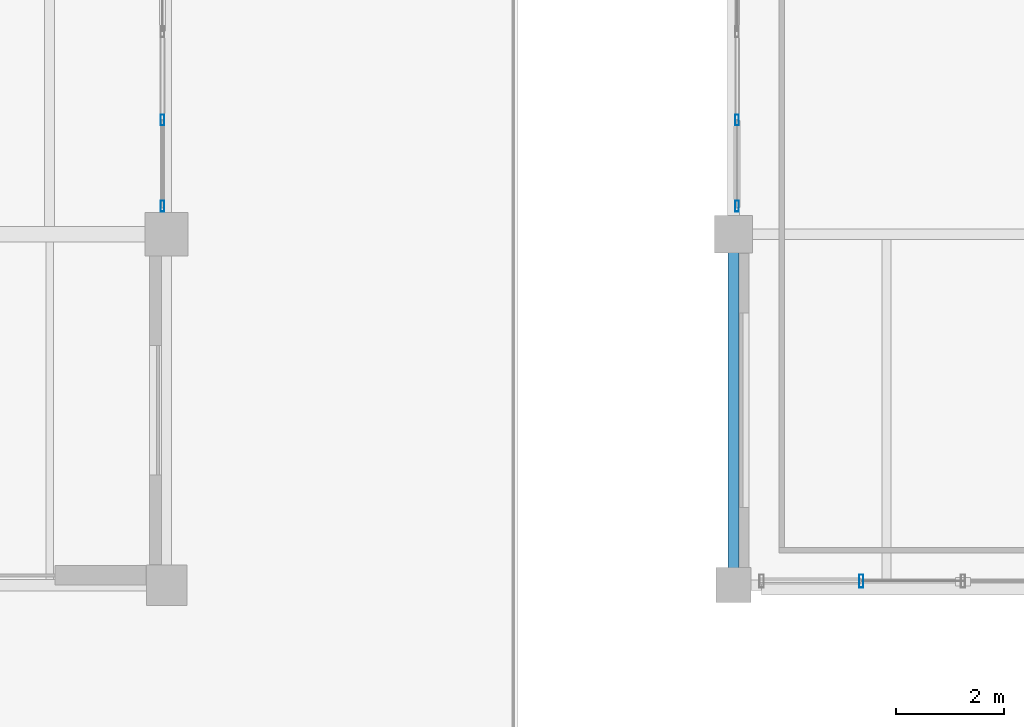
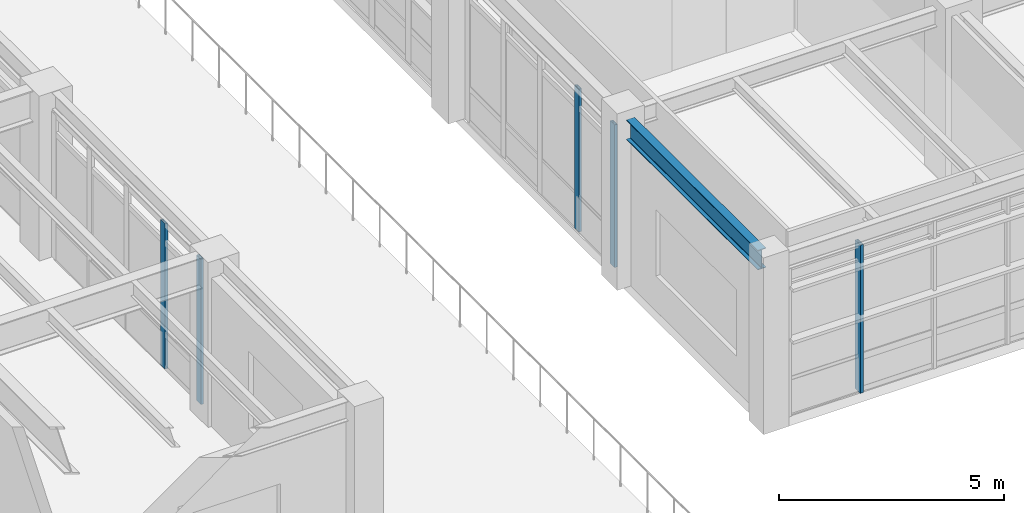
# One storey, part 106 of 200: 5 members, 1 beam, 3 elements without a shape of their own.
"""IFC4 building model written with IfcOpenShell, lengths in metres."""

import ifcopenshell
import ifcopenshell.guid

model = None  # the IFC model being written
_history = None  # IfcOwnerHistory: only IFC2X3 demands one
_inside = {}  # id of a spatial element -> (the spatial element, [elements in it])
_under = {}  # id of a project, library or spatial element -> (it, [spatial elements below it])
_declared = {}  # id of a project -> (the project, [libraries it declares])
_typed = {}  # id of a type object -> (the type object, [elements of that type])
_made_of = {}  # id of a material, layer set ... -> (it, [elements and type objects made of it])


def new_model(schema):
    """Start an empty IFC model of exactly this schema.

    Asked for "IFC4X3", IfcOpenShell would pick the latest addendum, in which some entities
    have other attributes; the version numbers below select the first issue.
    IFC2X3 requires an IfcOwnerHistory on every rooted entity: one is made here for all.
    """
    global model, _history
    if schema == "IFC4X3":
        model = ifcopenshell.file(schema_version=(4, 3, 0, 0))
    else:
        model = ifcopenshell.file(schema=schema)
    _inside.clear()
    _under.clear()
    _declared.clear()
    _typed.clear()
    _made_of.clear()
    _history = None
    if model.schema == "IFC2X3":
        org = make("IfcOrganization", Name="unknown")
        user = make(
            "IfcPersonAndOrganization",
            ThePerson=make("IfcPerson", FamilyName="unknown"),
            TheOrganization=org,
        )
        app = make(
            "IfcApplication",
            ApplicationDeveloper=org,
            Version="unknown",
            ApplicationFullName="unknown",
            ApplicationIdentifier="unknown",
        )
        _history = make(
            "IfcOwnerHistory",
            OwningUser=user,
            OwningApplication=app,
            ChangeAction="ADDED",
            CreationDate=0,
        )
    return model


def make(cls, **values):
    """One entity of the class cls with the attributes given. An attribute that is None is left unset."""
    return model.create_entity(
        cls, **{name: value for name, value in values.items() if value is not None}
    )


def rooted(cls, **values):
    """An entity with a GlobalId (a new one), such as an element, a storey or a relation."""
    return make(cls, GlobalId=ifcopenshell.guid.new(), OwnerHistory=_history, **values)


def si_unit(unit_type, name, prefix=None):
    """IfcSIUnit, for example si_unit("LENGTHUNIT", "METRE", prefix="MILLI")."""
    return make("IfcSIUnit", UnitType=unit_type, Prefix=prefix, Name=name)


def assignment(units):
    """IfcUnitAssignment: the units of a project."""
    return None if units is None else make("IfcUnitAssignment", Units=units)


def point(xyz):
    """IfcCartesianPoint."""
    return None if xyz is None else make("IfcCartesianPoint", Coordinates=xyz)


def direction(xyz):
    """IfcDirection."""
    return None if xyz is None else make("IfcDirection", DirectionRatios=xyz)


def frame(location, z_axis=None, x_axis=None):
    """IfcAxis2Placement3D, a coordinate frame: its origin and axes. An axis left out is left unset."""
    return make(
        "IfcAxis2Placement3D",
        Location=point(location),
        Axis=direction(z_axis),
        RefDirection=direction(x_axis),
    )


def frame_2d(location, x_axis=None):
    """IfcAxis2Placement2D, a coordinate frame in the plane: its origin and x axis."""
    return make(
        "IfcAxis2Placement2D", Location=point(location), RefDirection=direction(x_axis)
    )


def origin():
    """The frame at (0, 0, 0) with its axes left unset."""
    return frame((0.0, 0.0, 0.0))


def origin_2d():
    """The frame at (0, 0) in the plane with its x axis left unset."""
    return frame_2d((0.0, 0.0))


def place(relative_to, where):
    """IfcLocalPlacement: puts the frame where relative to a parent placement (None: the world)."""
    return make(
        "IfcLocalPlacement", PlacementRelTo=relative_to, RelativePlacement=where
    )


def context(
    kind, dimensions, precision=None, world=None, true_north=None, identifier=None
):
    """IfcGeometricRepresentationContext, for example the 3D "Model" context."""
    return make(
        "IfcGeometricRepresentationContext",
        ContextIdentifier=identifier,
        ContextType=kind,
        CoordinateSpaceDimension=dimensions,
        Precision=precision,
        WorldCoordinateSystem=world,
        TrueNorth=true_north,
    )


def subcontext(parent, identifier, kind, view, scale=None):
    """IfcGeometricRepresentationSubContext, for example "Body" below "Model"."""
    return make(
        "IfcGeometricRepresentationSubContext",
        ContextIdentifier=identifier,
        ContextType=kind,
        ParentContext=parent,
        TargetScale=scale,
        TargetView=view,
    )


def project(units=None, contexts=None):
    """IfcProject with its units and contexts."""
    return rooted(
        "IfcProject",
        Name="project",
        RepresentationContexts=contexts,
        UnitsInContext=assignment(units),
    )


def spatial(cls, under=None, at=None, **own):
    """A site, building, storey or space (cls), placed at a placement, below another one or the project."""
    s = rooted(cls, ObjectPlacement=at, **own)
    if under is not None:
        _under.setdefault(under.id(), (under, []))[1].append(s)
    return s


def profile(cls, at=None, kind="AREA", **sizes):
    """A parametric profile (cls). Its sizes go by their IFC names, for example OverallWidth=200.0."""
    return make(cls, ProfileType=kind, Position=at, **sizes)


def hollow_rectangle(**sizes):
    """IfcRectangleHollowProfileDef."""
    return profile("IfcRectangleHollowProfileDef", **sizes)


def i_section(**sizes):
    """IfcIShapeProfileDef."""
    return profile("IfcIShapeProfileDef", **sizes)


def extrude(swept, where, along, depth):
    """IfcExtrudedAreaSolid: the profile swept, set in the frame where, extruded along a direction by depth."""
    return make(
        "IfcExtrudedAreaSolid",
        SweptArea=swept,
        Position=where,
        ExtrudedDirection=direction(along),
        Depth=depth,
    )


def shape(context_of_items, identifier, shape_type, items):
    """IfcShapeRepresentation: the items that make up one representation, for example the "Body"."""
    return make(
        "IfcShapeRepresentation",
        ContextOfItems=context_of_items,
        RepresentationIdentifier=identifier,
        RepresentationType=shape_type,
        Items=items,
    )


def material(Name=None, Category=None):
    """IfcMaterial."""
    return make("IfcMaterial", Name=Name, Category=Category)


def material_profile(
    of_material, cross_section, Name=None, Category=None, Priority=None
):
    """IfcMaterialProfile: a cross section and its material."""
    return make(
        "IfcMaterialProfile",
        Name=Name,
        Material=of_material,
        Profile=cross_section,
        Priority=Priority,
        Category=Category,
    )


def profile_set(profiles, Name=None, composite=None):
    """IfcMaterialProfileSet."""
    return make(
        "IfcMaterialProfileSet",
        Name=Name,
        MaterialProfiles=profiles,
        CompositeProfile=composite,
    )


def made_of(thing, what):
    """Note that an element or type object is made of a material, layer set ...; save() writes the relation."""
    if what is not None:
        _made_of.setdefault(what.id(), (what, []))[1].append(thing)
    return thing


def type_object(cls, material=None, **own):
    """A type object (cls), such as IfcWallType, which elements share."""
    return made_of(rooted(cls, **own), material)


def element(
    cls,
    number,
    at=None,
    inside=None,
    cuts=None,
    type_object=None,
    material=None,
    context=None,
    identifier="Body",
    shape_type=None,
    held_by="IfcProductDefinitionShape",
    body=None,
    shapes=None,
    **own,
):
    """One element of the class cls, such as IfcWall. Its Tag is "e" and its number.

    at: its placement. inside: the storey or other place that contains it. cuts: it is an
    opening in that element (IfcRelVoidsElement). A single representation is given by context,
    identifier, shape_type and body (its items); several are given by shapes. held_by: the class
    of the entity that holds the representations. save() writes the other relations.
    """
    e = rooted(cls, Tag="e%d" % number, ObjectPlacement=at, **own)
    if body is not None:
        shapes = [shape(context, identifier, shape_type, body)]
    if shapes is not None:
        e.Representation = make(held_by, Representations=shapes)
    if inside is not None:
        _inside.setdefault(inside.id(), (inside, []))[1].append(e)
    if cuts is not None:
        rooted(
            "IfcRelVoidsElement", RelatingBuildingElement=cuts, RelatedOpeningElement=e
        )
    if type_object is not None:
        _typed.setdefault(type_object.id(), (type_object, []))[1].append(e)
    return made_of(e, material)


def aggregate(whole, parts):
    """IfcRelAggregates: a whole, such as a stair, and the parts it consists of."""
    return rooted("IfcRelAggregates", RelatingObject=whole, RelatedObjects=parts)


def save(model, path):
    """Write the relations noted so far, then the file.

    IfcRelAggregates (storeys below a building ...), IfcRelContainedInSpatialStructure (elements
    in a storey), IfcRelDefinesByType, IfcRelAssociatesMaterial and IfcRelDeclares: one each for
    every whole, place, type object, material and project.
    """
    for whole, parts in _under.values():
        aggregate(whole, parts)
    for where, things in _inside.values():
        rooted(
            "IfcRelContainedInSpatialStructure",
            RelatedElements=things,
            RelatingStructure=where,
        )
    for kind, things in _typed.values():
        rooted("IfcRelDefinesByType", RelatedObjects=things, RelatingType=kind)
    for what, things in _made_of.values():
        rooted("IfcRelAssociatesMaterial", RelatedObjects=things, RelatingMaterial=what)
    for by, libraries in _declared.values():
        rooted("IfcRelDeclares", RelatingContext=by, RelatedDefinitions=libraries)
    model.write(path)


model = new_model("IFC4")

# Units and contexts
model_context = context("Model", 3, precision=1e-05, world=origin(), true_north=direction((0.0, 1.0)))
body_context = subcontext(model_context, "Body", "Model", "MODEL_VIEW")
ifc_project = project(units=[si_unit("LENGTHUNIT", "METRE"), si_unit("AREAUNIT", "SQUARE_METRE"), si_unit("VOLUMEUNIT", "CUBIC_METRE"), si_unit("PLANEANGLEUNIT", "RADIAN"), si_unit("MASSUNIT", "GRAM", prefix="KILO"), si_unit("THERMODYNAMICTEMPERATUREUNIT", "KELVIN"), si_unit("POWERUNIT", "WATT")], contexts=[model_context])

# Site, building, storey
site_placement = place(None, origin())
site = spatial("IfcSite", under=ifc_project, at=site_placement, CompositionType="ELEMENT")
building_placement = place(site_placement, origin())
building = spatial("IfcBuilding", under=site, at=building_placement, Name="Tepalcoro Natatorium and Aquatics Centre", CompositionType="ELEMENT")
storey_placement = place(building_placement, frame((0.0, 0.0, 5.39990234375)))
storey = spatial("IfcBuildingStorey", under=building, at=storey_placement, Name="L01", CompositionType="ELEMENT", Elevation=5.39990234375)

# Curtain wall, members
ifc_material_1 = material(Name="Bronze-Anodised Extruded Aluminium Alloy EN AW-6063 T6", Category="aluminium")
curtain_wall_type_1 = type_object("IfcCurtainWallType", Name="CW_LEAN_T2_NS", PredefinedType="USERDEFINED", material=ifc_material_1)
curtain_wall_1_placement = place(storey_placement, origin())
curtain_wall_1 = element("IfcCurtainWall", 1, at=curtain_wall_1_placement, inside=storey, type_object=curtain_wall_type_1, Name="V1 L01 E Unitised Curtain Wall Bay 2", ObjectType="FACETED SOLAR GLAZING", PredefinedType="USERDEFINED")
ifc_material_profile_1 = material_profile(ifc_material_1, hollow_rectangle(XDim=0.070068359375, YDim=0.199951171875, WallThickness=0.0048828125, at=origin_2d()), Name="AL70X200X5")
ifc_profile_set_1 = profile_set([ifc_material_profile_1], Name="Bronze-Anodised Extruded Aluminium Alloy EN AW-6063 T6")
member_type_1 = type_object("IfcMemberType", Name="CW_MUL_70x200", PredefinedType="MULLION", material=ifc_profile_set_1)
member_1_placement = place(storey_placement, frame((131.423828125, 13.52001953125, 0.02001953125), z_axis=(0.0, 0.0, 1.0), x_axis=(1.0, 0.0, 0.0)))
member_1 = element("IfcMember", 2, at=member_1_placement, type_object=member_type_1, Name="CW_LEAN_T2_NS Curtain Wall Mullion", PredefinedType="MULLION", context=body_context, shape_type="SweptSolid", body=[
    extrude(hollow_rectangle(XDim=0.070068359375, YDim=0.199951171875, WallThickness=0.0048828125, at=origin_2d()), origin(), (0.0, 0.0, 1.0), 3.9501953125),
])
member_2_placement = place(storey_placement, frame((131.423828125, 15.114990234375, 0.02001953125), z_axis=(0.0, 0.0, 1.0), x_axis=(1.0, 0.0, 0.0)))
member_2 = element("IfcMember", 3, at=member_2_placement, type_object=member_type_1, Name="CW_LEAN_T2_NS Curtain Wall Mullion", PredefinedType="MULLION", context=body_context, shape_type="SweptSolid", body=[
    extrude(hollow_rectangle(XDim=0.070068359375, YDim=0.199951171875, WallThickness=0.0048828125, at=origin_2d()), origin(), (0.0, 0.0, 1.0), 3.9501953125),
])
aggregate(curtain_wall_1, [member_1, member_2])

curtain_wall_type_2 = type_object("IfcCurtainWallType", Name="CW_LEAN_T1_NS", PredefinedType="USERDEFINED", material=ifc_material_1)
curtain_wall_2_placement = place(storey_placement, origin())
curtain_wall_2 = element("IfcCurtainWall", 4, at=curtain_wall_2_placement, inside=storey, type_object=curtain_wall_type_2, Name="V2 L01 W Unitised Curtain Wall Bay 2", ObjectType="FACETED SOLAR GLAZING", PredefinedType="USERDEFINED")
member_3_placement = place(storey_placement, frame((142.06494140625, 13.52001953125, 0.02001953125), z_axis=(0.0, 0.0, 1.0), x_axis=(1.0, 0.0, 0.0)))
member_3 = element("IfcMember", 5, at=member_3_placement, type_object=member_type_1, Name="CW_LEAN_T1_NS Curtain Wall Mullion", PredefinedType="MULLION", context=body_context, shape_type="SweptSolid", body=[
    extrude(hollow_rectangle(XDim=0.070068359375, YDim=0.199951171875, WallThickness=0.0048828125, at=origin_2d()), origin(), (0.0, 0.0, 1.0), 3.878173828125),
])
member_4_placement = place(storey_placement, frame((142.06494140625, 15.114990234375, 0.02001953125), z_axis=(0.0, 0.0, 1.0), x_axis=(1.0, 0.0, 0.0)))
member_4 = element("IfcMember", 6, at=member_4_placement, type_object=member_type_1, Name="CW_LEAN_T1_NS Curtain Wall Mullion", PredefinedType="MULLION", context=body_context, shape_type="SweptSolid", body=[
    extrude(hollow_rectangle(XDim=0.070068359375, YDim=0.199951171875, WallThickness=0.0048828125, at=origin_2d()), origin(), (0.0, 0.0, 1.0), 3.878173828125),
])
aggregate(curtain_wall_2, [member_3, member_4])

# Curtain wall, member
curtain_wall_type_3 = type_object("IfcCurtainWallType", Name="CW_V2_DIVING", PredefinedType="USERDEFINED", material=ifc_material_1)
curtain_wall_3_placement = place(storey_placement, origin())
curtain_wall_3 = element("IfcCurtainWall", 7, at=curtain_wall_3_placement, inside=storey, type_object=curtain_wall_type_3, Name="V2 L01 S Unitised Curtain Wall Bay 1", ObjectType="FACETED SOLAR GLAZING", PredefinedType="USERDEFINED")
ifc_material_profile_2 = material_profile(ifc_material_1, hollow_rectangle(XDim=0.080078125, YDim=0.239990234375, WallThickness=0.0048828125, at=origin_2d()), Name="AL80X240X5")
ifc_profile_set_2 = profile_set([ifc_material_profile_2], Name="Bronze-Anodised Extruded Aluminium Alloy EN AW-6063 T6")
member_type_2 = type_object("IfcMemberType", Name="CW_MUL_80x240", PredefinedType="MULLION", material=ifc_profile_set_2)
member_5_placement = place(storey_placement, frame((144.364990234375, 6.576171875, 0.02001953125), z_axis=(0.0, 0.0, 1.0), x_axis=(1.0, 0.0, 0.0)))
member_5 = element("IfcMember", 8, at=member_5_placement, type_object=member_type_2, Name="CW_V2_DIVING Curtain Wall Mullion", PredefinedType="MULLION", context=body_context, shape_type="SweptSolid", body=[
    extrude(hollow_rectangle(XDim=0.080078125, YDim=0.239990234375, WallThickness=0.0048828125, at=origin_2d()), origin(), (0.0, 0.0, 1.0), 4.030029296875),
])
aggregate(curtain_wall_3, [member_5])

# Beam
ifc_material_2 = material(Name="Steel ASTM A992 Grade 50 (Fy 345 MPa)", Category="steel")
ifc_material_profile_3 = material_profile(ifc_material_2, i_section(OverallWidth=0.2099609375, OverallDepth=0.535888671875, WebThickness=0.010986328125, FlangeThickness=0.01708984375, FilletRadius=0.013916015625, at=origin_2d()), Name="W21X68")
ifc_profile_set_3 = profile_set([ifc_material_profile_3], Name="Steel ASTM A992 Grade 50 (Fy 345 MPa)")
beam_type = type_object("IfcBeamType", Name="SP_W21x68", PredefinedType="SPANDREL", material=ifc_profile_set_3)
beam_placement = place(storey_placement, frame((142.0, 6.81005859375, 4.277099609375), z_axis=(0.0, 1.0, 0.0), x_axis=(-1.0, 0.0, 0.0)))
element("IfcBeam", 9, at=beam_placement, inside=storey, type_object=beam_type, Name="V2 L01 Grid Girder Y", PredefinedType="SPANDREL", context=body_context, shape_type="SweptSolid", body=[
    extrude(i_section(OverallWidth=0.2099609375, OverallDepth=0.535888671875, WebThickness=0.010986328125, FlangeThickness=0.01708984375, FilletRadius=0.013916015625, at=origin_2d()), origin(), (0.0, 0.0, 1.0), 5.85498046875),
])

save(model, "model.ifc")
